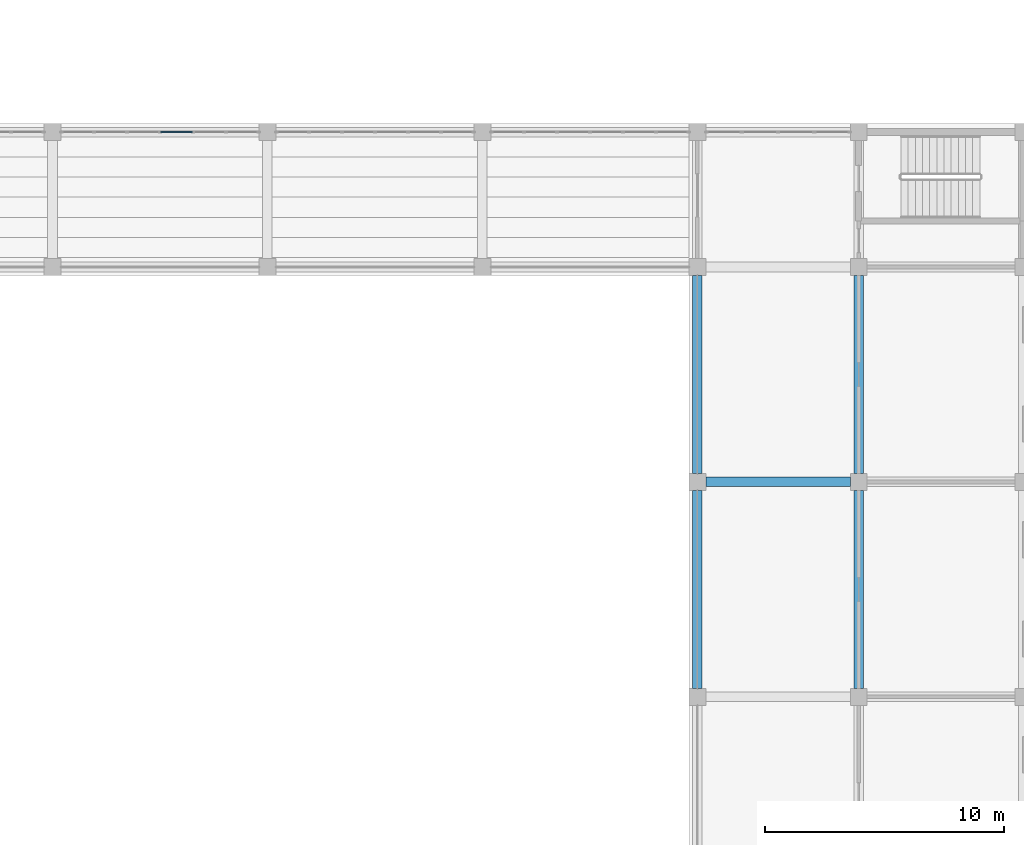
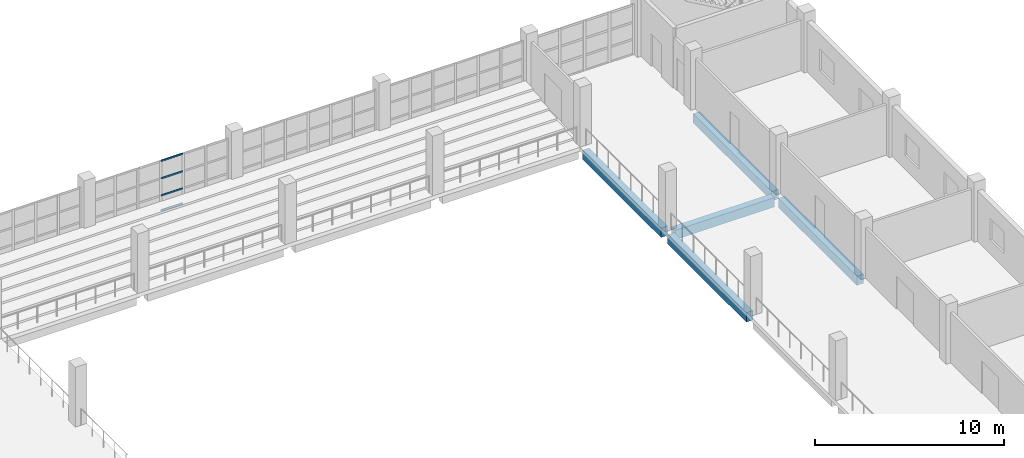
# One storey, part 9 of 36: 5 beams, 4 members, 1 element without a shape of its own.
"""IFC4 building model written with IfcOpenShell, lengths in metres."""

from ifc_helpers import new_model, si_unit, direction, frame, origin, origin_2d, place, context, subcontext, project, spatial, rectangle, extrude, material, layer, layer_set, material_profile, profile_set, type_object, element, aggregate, save


model = new_model("IFC4")

# Units and contexts
model_context = context("Model", 3, precision=1e-05, world=origin(), true_north=direction((0.0, 1.0)))
body_context = subcontext(model_context, "Body", "Model", "MODEL_VIEW")
ifc_project = project(units=[si_unit("LENGTHUNIT", "METRE"), si_unit("AREAUNIT", "SQUARE_METRE"), si_unit("VOLUMEUNIT", "CUBIC_METRE"), si_unit("PLANEANGLEUNIT", "RADIAN"), si_unit("MASSUNIT", "GRAM", prefix="KILO")], contexts=[model_context])

# Site, building, storey
site_placement = place(None, origin())
site = spatial("IfcSite", under=ifc_project, at=site_placement, CompositionType="ELEMENT")
building_placement = place(site_placement, origin())
building = spatial("IfcBuilding", under=site, at=building_placement, Name="Corbel Stack Research Tower", CompositionType="ELEMENT")
storey_placement = place(building_placement, frame((0.0, 0.0, 7.199951171875)))
storey = spatial("IfcBuildingStorey", under=building, at=storey_placement, Name="L01", CompositionType="ELEMENT", Elevation=7.199951171875)

# Curtain wall, members
ifc_material_1 = material(Name="Aluminium", Category="aluminium")
ifc_layer = layer(ifc_material_1, 0.139892578125)
ifc_layer_set = layer_set([ifc_layer], Name="Aluminium")
curtain_wall_type = type_object("IfcCurtainWallType", Name="CW6 gallery curtain wall", PredefinedType="NOTDEFINED", material=ifc_layer_set)
curtain_wall_placement = place(storey_placement, origin())
curtain_wall = element("IfcCurtainWall", 1, at=curtain_wall_placement, inside=storey, type_object=curtain_wall_type, Name="Gallery curtain wall L01 10", PredefinedType="NOTDEFINED")
ifc_material_2 = material(Name="Aluminium", Category="aluminium")
ifc_material_profile_1 = material_profile(ifc_material_2, rectangle(XDim=0.050048828125, YDim=0.10009765625, at=origin_2d()), Name="Transom 50 x 100")
ifc_profile_set_1 = profile_set([ifc_material_profile_1], Name="Aluminium")
member_type = type_object("IfcMemberType", Name="CW6 transom 50 x 100", PredefinedType="USERDEFINED", material=ifc_profile_set_1)
member_1_placement = place(storey_placement, frame((64.47509765625, 23.64990234375, 0.025146484375), z_axis=(1.0, 0.0, 0.0), x_axis=(0.0, 1.0, 0.0)))
member_1 = element("IfcMember", 2, at=member_1_placement, type_object=member_type, Name="CW6 transom 4.1", ObjectType="TRANSOM", PredefinedType="USERDEFINED", context=body_context, shape_type="SweptSolid", body=[
    extrude(rectangle(XDim=0.050048828125, YDim=0.10009765625, at=origin_2d()), origin(), (0.0, 0.0, 1.0), 1.333251953125),
])
member_2_placement = place(storey_placement, frame((64.47509765625, 23.64990234375, 1.0), z_axis=(1.0, 0.0, 0.0), x_axis=(0.0, 1.0, 0.0)))
member_2 = element("IfcMember", 3, at=member_2_placement, type_object=member_type, Name="CW6 transom 4.2", ObjectType="TRANSOM", PredefinedType="USERDEFINED", context=body_context, shape_type="SweptSolid", body=[
    extrude(rectangle(XDim=0.050048828125, YDim=0.10009765625, at=origin_2d()), origin(), (0.0, 0.0, 1.0), 1.333251953125),
])
member_3_placement = place(storey_placement, frame((64.47509765625, 23.64990234375, 2.10009765625), z_axis=(1.0, 0.0, 0.0), x_axis=(0.0, 1.0, 0.0)))
member_3 = element("IfcMember", 4, at=member_3_placement, type_object=member_type, Name="CW6 transom 4.3", ObjectType="TRANSOM", PredefinedType="USERDEFINED", context=body_context, shape_type="SweptSolid", body=[
    extrude(rectangle(XDim=0.050048828125, YDim=0.10009765625, at=origin_2d()), origin(), (0.0, 0.0, 1.0), 1.333251953125),
])
member_4_placement = place(storey_placement, frame((64.47509765625, 23.64990234375, 3.22509765625), z_axis=(1.0, 0.0, 0.0), x_axis=(0.0, 1.0, 0.0)))
member_4 = element("IfcMember", 5, at=member_4_placement, type_object=member_type, Name="CW6 transom 4.4", ObjectType="TRANSOM", PredefinedType="USERDEFINED", context=body_context, shape_type="SweptSolid", body=[
    extrude(rectangle(XDim=0.050048828125, YDim=0.10009765625, at=origin_2d()), origin(), (0.0, 0.0, 1.0), 1.333251953125),
])
aggregate(curtain_wall, [member_1, member_2, member_3, member_4])

# Beams
ifc_material_3 = material(Name="Concrete C40/50", Category="concrete")
ifc_material_profile_2 = material_profile(ifc_material_3, rectangle(XDim=0.39990234375, YDim=0.60009765625, at=origin_2d()), Name="RC 400 x 600")
ifc_profile_set_2 = profile_set([ifc_material_profile_2], Name="Concrete C40/50")
beam_type = type_object("IfcBeamType", Name="HB1 RC beam 400 x 600", PredefinedType="BEAM", material=ifc_profile_set_2)
beam_1_placement = place(storey_placement, frame((86.949951171875, 0.35009765625, -0.550048828125), z_axis=(0.0, 1.0, 0.0), x_axis=(-1.0, 0.0, 0.0)))
element("IfcBeam", 6, at=beam_1_placement, inside=storey, type_object=beam_type, Name="Floor beam L01 H7HD-H7HE", PredefinedType="BEAM", context=body_context, shape_type="SweptSolid", body=[
    extrude(rectangle(XDim=0.39990234375, YDim=0.60009765625, at=origin_2d()), origin(), (0.0, 0.0, 1.0), 8.2998046875),
])
beam_2_placement = place(storey_placement, frame((87.300048828125, 9.0, -0.550048828125), z_axis=(1.0, 0.0, 0.0), x_axis=(0.0, 1.0, 0.0)))
element("IfcBeam", 7, at=beam_2_placement, inside=storey, type_object=beam_type, Name="Floor beam L01 H7HE-H8HE", PredefinedType="BEAM", context=body_context, shape_type="SweptSolid", body=[
    extrude(rectangle(XDim=0.39990234375, YDim=0.60009765625, at=origin_2d()), origin(), (0.0, 0.0, 1.0), 6.050048828125),
])
for number, where, z_axis, x_axis, name in (
    (8, (86.949951171875, 9.35009765625, -0.550048828125), (0.0, 1.0, 0.0), (-1.0, 0.0, 0.0), "Floor beam L01 H7HE-H7HF"),
    (9, (93.699951171875, 0.35009765625, -0.550048828125), (0.0, 1.0, 0.0), (-1.0, 0.0, 0.0), "Floor beam L01 H8HD-H8HE"),
    (10, (93.699951171875, 9.35009765625, -0.550048828125), (0.0, 1.0, 0.0), (-1.0, 0.0, 0.0), "Floor beam L01 H8HE-H8HF"),
):
    element("IfcBeam", number, at=place(storey_placement, frame(where, z_axis=z_axis, x_axis=x_axis)), inside=storey, type_object=beam_type, Name=name, PredefinedType="BEAM", context=body_context, shape_type="SweptSolid", body=[
        extrude(rectangle(XDim=0.39990234375, YDim=0.60009765625, at=origin_2d()), origin(), (0.0, 0.0, 1.0), 8.2998046875),
    ])

save(model, "model.ifc")
